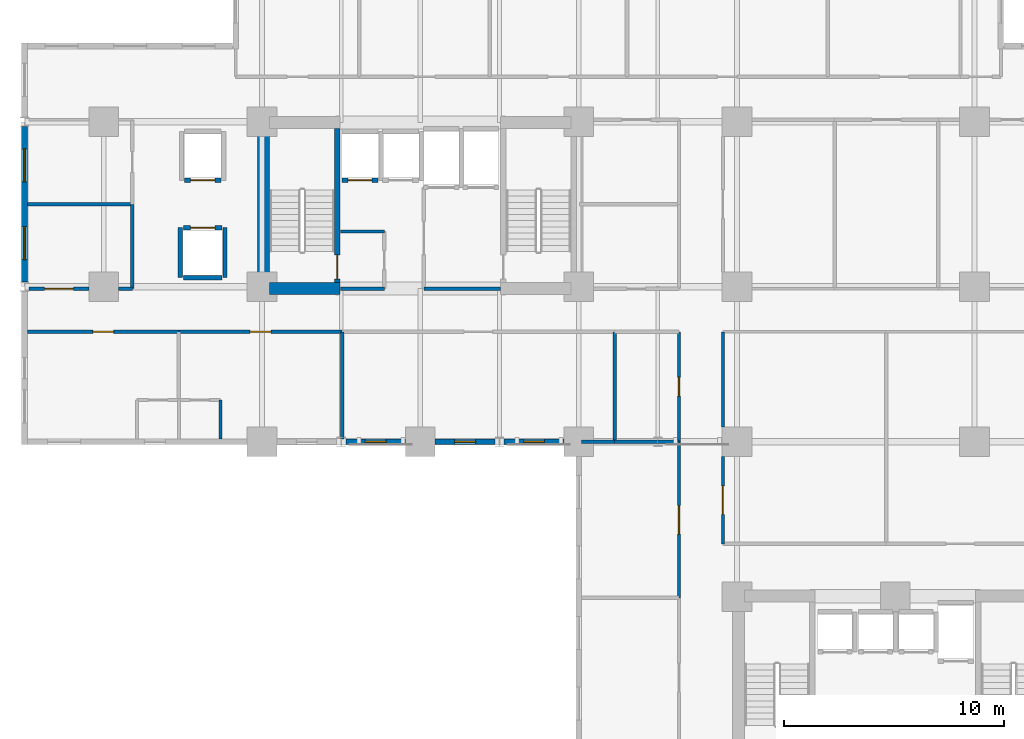
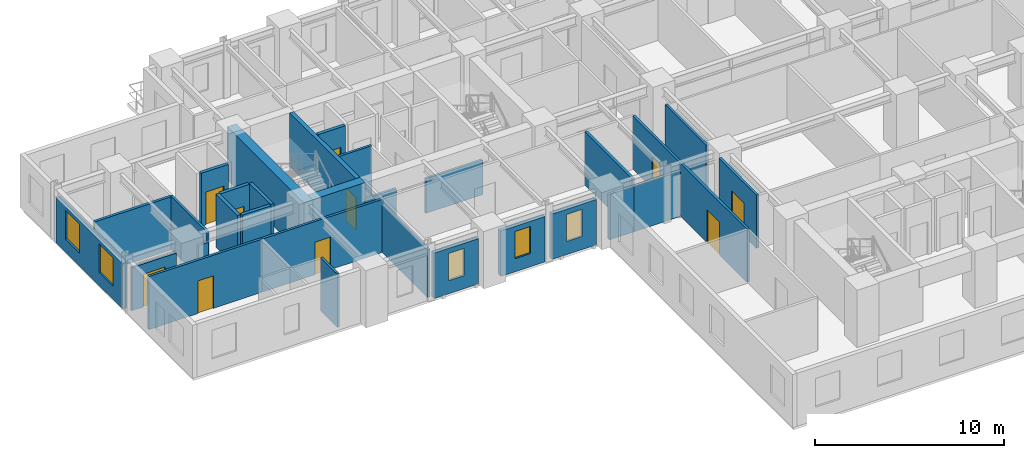
# One storey, part 3 of 11: 31 walls, 10 doors, 5 windows, 15 openings.
"""IFC4 building model written with IfcOpenShell, lengths in metres."""

from ifc_helpers import new_model, si_unit, direction, frame, frame_2d, origin, place, context, subcontext, project, spatial, rectangle, extrude, material, layer, layer_set, type_object, element, fill, save


model = new_model("IFC4")

# Units and contexts
model_context = context("Model", 3, precision=1e-05, world=origin(), true_north=direction((0.0, 1.0)))
body_context = subcontext(model_context, "Body", "Model", "MODEL_VIEW")
ifc_project = project(units=[si_unit("LENGTHUNIT", "METRE"), si_unit("AREAUNIT", "SQUARE_METRE"), si_unit("VOLUMEUNIT", "CUBIC_METRE"), si_unit("PLANEANGLEUNIT", "RADIAN"), si_unit("MASSUNIT", "GRAM", prefix="KILO")], contexts=[model_context])

# Site, building, storey
site_placement = place(None, origin())
site = spatial("IfcSite", under=ifc_project, at=site_placement, CompositionType="ELEMENT")
building_placement = place(site_placement, origin())
building = spatial("IfcBuilding", under=site, at=building_placement, Name="Kaliganga Portal Commons", CompositionType="ELEMENT")
storey_placement = place(building_placement, frame((0.0, 0.0, 58.60009765625)))
storey = spatial("IfcBuildingStorey", under=building, at=storey_placement, Name="L14", CompositionType="ELEMENT", Elevation=58.60009765625)

# Walls
ifc_material_1 = material(Name="Concrete C60/75", Category="concrete")
ifc_layer_1 = layer(ifc_material_1, 0.550048828125)
ifc_layer_set_1 = layer_set([ifc_layer_1], Name="Concrete C60/75")
wall_type_1 = type_object("IfcWallType", Name="WL-CORE-550", PredefinedType="SHEAR", material=ifc_layer_set_1)
wall_1_placement = place(storey_placement, frame((14.47509765625, 28.300048828125, 0.0), z_axis=(0.0, 0.0, 1.0), x_axis=(0.0, 1.0, 0.0)))
element("IfcWall", 1, at=wall_1_placement, inside=storey, type_object=wall_type_1, Name="Core A West Shear Wall L14", PredefinedType="SHEAR", context=body_context, shape_type="SweptSolid", body=[
    extrude(rectangle(XDim=8.099853515625, YDim=0.550048828125, at=frame_2d((4.0498046875, 0.0))), origin(), (0.0, 0.0, 1.0), 3.449951171875),
])
wall_2_placement = place(storey_placement, frame((14.75, 28.574951171875, 0.0), z_axis=(0.0, 0.0, 1.0), x_axis=(1.0, 0.0, 0.0)))
element("IfcWall", 2, at=wall_2_placement, inside=storey, type_object=wall_type_1, Name="Core A S-West Shear Wall L14", PredefinedType="SHEAR", context=body_context, shape_type="SweptSolid", body=[
    extrude(rectangle(XDim=3.199951171875, YDim=0.550048828125, at=frame_2d((1.60009765625, 0.0))), origin(), (0.0, 0.0, 1.0), 3.449951171875),
])

# Wall, openings, windows
ifc_material_2 = material(Name="Insulated Aluminium-Clad Spandrel Assembly", Category="aluminium")
ifc_layer_2 = layer(ifc_material_2, 0.260009765625)
ifc_layer_set_2 = layer_set([ifc_layer_2], Name="Insulated Aluminium-Clad Spandrel Assembly")
wall_type_2 = type_object("IfcWallType", Name="WL-EXT-SPAND-260", PredefinedType="STANDARD", material=ifc_layer_set_2)
wall_3_placement = place(storey_placement, frame((3.60009765625, 28.8740234375, 0.0), z_axis=(0.0, 0.0, 1.0), x_axis=(0.0, 1.0, 0.0)))
wall_3 = element("IfcWall", 3, at=wall_3_placement, inside=storey, type_object=wall_type_2, Name="Exterior Envelope Wall L14 P1-E09-S2", PredefinedType="STANDARD", context=body_context, shape_type="SweptSolid", body=[
    extrude(rectangle(XDim=7.052001953125, YDim=0.260009765625, at=frame_2d((3.52587890625, 0.0))), origin(), (0.0, 0.0, 1.0), 2.929931640625),
])
opening_1_placement = place(wall_3_placement, frame((1.012939453125, 0.0, 0.85009765625)))
opening_1 = element("IfcOpeningElement", 4, at=opening_1_placement, cuts=wall_3, Name="Opening W-02", PredefinedType="OPENING", context=body_context, shape_type="SweptSolid", body=[
    extrude(rectangle(XDim=1.5, YDim=1.85009765625, at=frame_2d((0.75, 0.925048828125))), frame((0.0, 0.14013671875, 0.0), z_axis=(0.0, -1.0, 0.0), x_axis=(1.0, 0.0, 0.0)), (0.0, 0.0, 1.0), 0.280029296875),
])
opening_2_placement = place(wall_3_placement, frame((4.5390625, 0.0, 0.85009765625)))
opening_2 = element("IfcOpeningElement", 5, at=opening_2_placement, cuts=wall_3, Name="Opening W-02", PredefinedType="OPENING", context=body_context, shape_type="SweptSolid", body=[
    extrude(rectangle(XDim=1.5, YDim=1.85009765625, at=frame_2d((0.75, 0.925048828125))), frame((0.0, 0.14013671875, 0.0), z_axis=(0.0, -1.0, 0.0), x_axis=(1.0, 0.0, 0.0)), (0.0, 0.0, 1.0), 0.280029296875),
])
ifc_material_3 = material(Name="Thermally Broken Aluminium and Low-E Double Glazing", Category="aluminium")
window_type_1 = type_object("IfcWindowType", Name="WIN-STD-1500", PartitioningType="DOUBLE_PANEL_VERTICAL", PredefinedType="WINDOW", material=ifc_material_3)
window_1_placement = place(opening_1_placement, origin())
window_1 = element("IfcWindow", 6, at=window_1_placement, inside=storey, type_object=window_type_1, Name="Facade Window L14-P1E09S2-00", OverallHeight=1.85009765625, OverallWidth=1.5, PartitioningType="SINGLE_PANEL", PredefinedType="WINDOW", context=body_context, shape_type="SweptSolid", body=[
    extrude(rectangle(XDim=1.5, YDim=1.85009765625, at=frame_2d((0.75, 0.925048828125))), frame((0.0, 0.030029296875, 0.0), z_axis=(0.0, -1.0, 0.0), x_axis=(1.0, 0.0, 0.0)), (0.0, 0.0, 1.0), 0.06005859375),
])
fill(opening_1, window_1)
window_2_placement = place(opening_2_placement, origin())
window_2 = element("IfcWindow", 7, at=window_2_placement, inside=storey, type_object=window_type_1, Name="Facade Window L14-P1E09S2-01", OverallHeight=1.85009765625, OverallWidth=1.5, PartitioningType="SINGLE_PANEL", PredefinedType="WINDOW", context=body_context, shape_type="SweptSolid", body=[
    extrude(rectangle(XDim=1.5, YDim=1.85009765625, at=frame_2d((0.75, 0.925048828125))), frame((0.0, 0.030029296875, 0.0), z_axis=(0.0, -1.0, 0.0), x_axis=(1.0, 0.0, 0.0)), (0.0, 0.0, 1.0), 0.06005859375),
])
fill(opening_2, window_2)

# Wall, opening, window
wall_4_placement = place(storey_placement, frame((20.924072265625, 21.60009765625, 0.0), z_axis=(0.0, 0.0, 1.0), x_axis=(-1.0, 0.0, 0.0)))
wall_4 = element("IfcWall", 8, at=wall_4_placement, inside=storey, type_object=wall_type_2, Name="Exterior Envelope Wall L14 P1-E10-S3", PredefinedType="STANDARD", context=body_context, shape_type="SweptSolid", body=[
    extrude(rectangle(XDim=2.715087890625, YDim=0.260009765625, at=frame_2d((1.357421875, 0.0))), origin(), (0.0, 0.0, 1.0), 2.929931640625),
])
opening_3_placement = place(wall_4_placement, frame((0.882568359375, 0.0, 0.85009765625)))
opening_3 = element("IfcOpeningElement", 9, at=opening_3_placement, cuts=wall_4, Name="Opening W-04", PredefinedType="OPENING", context=body_context, shape_type="SweptSolid", body=[
    extrude(rectangle(XDim=0.949951171875, YDim=1.75, at=frame_2d((0.47509765625, 0.875))), frame((0.0, 0.14013671875, 0.0), z_axis=(0.0, -1.0, 0.0), x_axis=(1.0, 0.0, 0.0)), (0.0, 0.0, 1.0), 0.280029296875),
])
window_type_2 = type_object("IfcWindowType", Name="WIN-NARROW-950", PartitioningType="SINGLE_PANEL", PredefinedType="WINDOW", material=ifc_material_3)
window_3_placement = place(opening_3_placement, origin())
window_3 = element("IfcWindow", 10, at=window_3_placement, inside=storey, type_object=window_type_2, Name="Facade Window L14-P1E10S3-00", OverallHeight=1.75, OverallWidth=0.949951171875, PartitioningType="SINGLE_PANEL", PredefinedType="WINDOW", context=body_context, shape_type="SweptSolid", body=[
    extrude(rectangle(XDim=0.949951171875, YDim=1.75, at=frame_2d((0.47509765625, 0.875))), frame((0.0, 0.030029296875, 0.0), z_axis=(0.0, -1.0, 0.0), x_axis=(1.0, 0.0, 0.0)), (0.0, 0.0, 1.0), 0.06005859375),
])
fill(opening_3, window_3)

wall_5_placement = place(storey_placement, frame((24.990966796875, 21.60009765625, 0.0), z_axis=(0.0, 0.0, 1.0), x_axis=(-1.0, 0.0, 0.0)))
wall_5 = element("IfcWall", 11, at=wall_5_placement, inside=storey, type_object=wall_type_2, Name="Exterior Envelope Wall L14 P1-E10-S4", PredefinedType="STANDARD", context=body_context, shape_type="SweptSolid", body=[
    extrude(rectangle(XDim=2.715087890625, YDim=0.260009765625, at=frame_2d((1.357421875, 0.0))), origin(), (0.0, 0.0, 1.0), 2.929931640625),
])
opening_4_placement = place(wall_5_placement, frame((0.882568359375, 0.0, 0.85009765625)))
opening_4 = element("IfcOpeningElement", 12, at=opening_4_placement, cuts=wall_5, Name="Opening W-04", PredefinedType="OPENING", context=body_context, shape_type="SweptSolid", body=[
    extrude(rectangle(XDim=0.949951171875, YDim=1.75, at=frame_2d((0.47509765625, 0.875))), frame((0.0, 0.14013671875, 0.0), z_axis=(0.0, -1.0, 0.0), x_axis=(1.0, 0.0, 0.0)), (0.0, 0.0, 1.0), 0.280029296875),
])
window_4_placement = place(opening_4_placement, origin())
window_4 = element("IfcWindow", 13, at=window_4_placement, inside=storey, type_object=window_type_2, Name="Facade Window L14-P1E10S4-00", OverallHeight=1.75, OverallWidth=0.949951171875, PartitioningType="SINGLE_PANEL", PredefinedType="WINDOW", context=body_context, shape_type="SweptSolid", body=[
    extrude(rectangle(XDim=0.949951171875, YDim=1.75, at=frame_2d((0.47509765625, 0.875))), frame((0.0, 0.030029296875, 0.0), z_axis=(0.0, -1.0, 0.0), x_axis=(1.0, 0.0, 0.0)), (0.0, 0.0, 1.0), 0.06005859375),
])
fill(opening_4, window_4)

wall_6_placement = place(storey_placement, frame((28.1240234375, 21.60009765625, 0.0), z_axis=(0.0, 0.0, 1.0), x_axis=(-1.0, 0.0, 0.0)))
wall_6 = element("IfcWall", 14, at=wall_6_placement, inside=storey, type_object=wall_type_2, Name="Exterior Envelope Wall L14 P1-E10-S5", PredefinedType="STANDARD", context=body_context, shape_type="SweptSolid", body=[
    extrude(rectangle(XDim=2.715087890625, YDim=0.260009765625, at=frame_2d((1.357421875, 0.0))), origin(), (0.0, 0.0, 1.0), 2.929931640625),
])
opening_5_placement = place(wall_6_placement, frame((0.882568359375, 0.0, 0.85009765625)))
opening_5 = element("IfcOpeningElement", 15, at=opening_5_placement, cuts=wall_6, Name="Opening W-04", PredefinedType="OPENING", context=body_context, shape_type="SweptSolid", body=[
    extrude(rectangle(XDim=0.949951171875, YDim=1.75, at=frame_2d((0.47509765625, 0.875))), frame((0.0, 0.14013671875, 0.0), z_axis=(0.0, -1.0, 0.0), x_axis=(1.0, 0.0, 0.0)), (0.0, 0.0, 1.0), 0.280029296875),
])
window_5_placement = place(opening_5_placement, origin())
window_5 = element("IfcWindow", 16, at=window_5_placement, inside=storey, type_object=window_type_2, Name="Facade Window L14-P1E10S5-00", OverallHeight=1.75, OverallWidth=0.949951171875, PartitioningType="SINGLE_PANEL", PredefinedType="WINDOW", context=body_context, shape_type="SweptSolid", body=[
    extrude(rectangle(XDim=0.949951171875, YDim=1.75, at=frame_2d((0.47509765625, 0.875))), frame((0.0, 0.030029296875, 0.0), z_axis=(0.0, -1.0, 0.0), x_axis=(1.0, 0.0, 0.0)), (0.0, 0.0, 1.0), 0.06005859375),
])
fill(opening_5, window_5)

# Wall, opening, door
ifc_material_4 = material(Name="Fire-Rated Gypsum Board on Steel Stud", Category="steel")
ifc_layer_3 = layer(ifc_material_4, 0.14990234375)
ifc_layer_set_3 = layer_set([ifc_layer_3], Name="Fire-Rated Gypsum Board on Steel Stud")
wall_type_3 = type_object("IfcWallType", Name="WL-PART-CORR-150", PredefinedType="PARTITIONING", material=ifc_layer_set_3)
wall_7_placement = place(storey_placement, frame((35.360107421875, 16.9599609375, 0.0), z_axis=(0.0, 0.0, 1.0), x_axis=(0.0, 1.0, 0.0)))
wall_7 = element("IfcWall", 17, at=wall_7_placement, inside=storey, type_object=wall_type_3, Name="Interior Partition L14-007", PredefinedType="PARTITIONING", context=body_context, shape_type="SweptSolid", body=[
    extrude(rectangle(XDim=3.965087890625, YDim=0.14990234375, at=frame_2d((1.982421875, 0.0))), origin(), (0.0, 0.0, 1.0), 3.429931640625),
])
opening_6_placement = place(wall_7_placement, frame((1.33251953125, 0.0, 0.0)))
opening_6 = element("IfcOpeningElement", 18, at=opening_6_placement, cuts=wall_7, Name="Opening RD-03", PredefinedType="OPENING", context=body_context, shape_type="SweptSolid", body=[
    extrude(rectangle(XDim=1.300048828125, YDim=2.1201171875, at=frame_2d((0.64990234375, 1.06005859375))), frame((0.0, 0.0849609375, 0.0), z_axis=(0.0, -1.0, 0.0), x_axis=(1.0, 0.0, 0.0)), (0.0, 0.0, 1.0), 0.169921875),
])
ifc_material_5 = material(Name="Glazed Timber Seminar Vision Door", Category="wood")
door_type_1 = type_object("IfcDoorType", Name="DR-STUDY-1300", OperationType="DOUBLE_DOOR_SINGLE_SWING", PredefinedType="DOOR", material=ifc_material_5)
door_1_placement = place(opening_6_placement, origin())
door_1 = element("IfcDoor", 19, at=door_1_placement, inside=storey, type_object=door_type_1, Name="Interior Door L14-BM01", OperationType="DOUBLE_DOOR_SINGLE_SWING", OverallHeight=2.1201171875, OverallWidth=1.300048828125, PredefinedType="DOOR", context=body_context, shape_type="SweptSolid", body=[
    extrude(rectangle(XDim=1.300048828125, YDim=2.1201171875, at=frame_2d((0.64990234375, 1.06005859375))), frame((0.0, 0.02490234375, 0.0), z_axis=(0.0, -1.0, 0.0), x_axis=(1.0, 0.0, 0.0)), (0.0, 0.0, 1.0), 0.050048828125),
])
fill(opening_6, door_1)

# Wall
wall_8_placement = place(storey_placement, frame((35.360107421875, 22.27490234375, 0.0), z_axis=(0.0, 0.0, 1.0), x_axis=(0.0, 1.0, 0.0)))
element("IfcWall", 20, at=wall_8_placement, inside=storey, type_object=wall_type_3, Name="Interior Partition L14-008", PredefinedType="PARTITIONING", context=body_context, shape_type="SweptSolid", body=[
    extrude(rectangle(XDim=4.3251953125, YDim=0.14990234375, at=frame_2d((2.16259765625, 0.0))), origin(), (0.0, 0.0, 1.0), 3.429931640625),
])

# Wall, opening, door
wall_9_placement = place(storey_placement, frame((10.6201171875, 26.60009765625, 0.0), z_axis=(0.0, 0.0, 1.0), x_axis=(1.0, 0.0, 0.0)))
wall_9 = element("IfcWall", 21, at=wall_9_placement, inside=storey, type_object=wall_type_3, Name="Interior Partition L14-014", PredefinedType="PARTITIONING", context=body_context, shape_type="SweptSolid", body=[
    extrude(rectangle(XDim=7.419921875, YDim=0.14990234375, at=frame_2d((3.7099609375, 0.0))), origin(), (0.0, 0.0, 1.0), 3.429931640625),
])
opening_7_placement = place(wall_9_placement, frame((3.235107421875, 0.0, 0.0)))
opening_7 = element("IfcOpeningElement", 22, at=opening_7_placement, cuts=wall_9, Name="Opening UD-01", PredefinedType="OPENING", context=body_context, shape_type="SweptSolid", body=[
    extrude(rectangle(XDim=0.949951171875, YDim=2.10009765625, at=frame_2d((0.47509765625, 1.050048828125))), frame((0.0, 0.0849609375, 0.0), z_axis=(0.0, -1.0, 0.0), x_axis=(1.0, 0.0, 0.0)), (0.0, 0.0, 1.0), 0.169921875),
])
ifc_material_6 = material(Name="Solid-Core Timber Acoustic Fire Door", Category="wood")
door_type_2 = type_object("IfcDoorType", Name="DR-UNIT-950", OperationType="NOTDEFINED", PredefinedType="DOOR", material=ifc_material_6)
door_2_placement = place(opening_7_placement, origin())
door_2 = element("IfcDoor", 23, at=door_2_placement, inside=storey, type_object=door_type_2, Name="Interior Door L14-AS02", OperationType="SINGLE_SWING_LEFT", OverallHeight=2.10009765625, OverallWidth=0.949951171875, PredefinedType="DOOR", context=body_context, shape_type="SweptSolid", body=[
    extrude(rectangle(XDim=0.949951171875, YDim=2.10009765625, at=frame_2d((0.47509765625, 1.050048828125))), frame((0.0, 0.02490234375, 0.0), z_axis=(0.0, -1.0, 0.0), x_axis=(1.0, 0.0, 0.0)), (0.0, 0.0, 1.0), 0.050048828125),
])
fill(opening_7, door_2)

wall_10_placement = place(storey_placement, frame((33.360107421875, 14.5, 0.0), z_axis=(0.0, 0.0, 1.0), x_axis=(0.0, 1.0, 0.0)))
wall_10 = element("IfcWall", 24, at=wall_10_placement, inside=storey, type_object=wall_type_3, Name="Interior Partition L14-016", PredefinedType="PARTITIONING", context=body_context, shape_type="SweptSolid", body=[
    extrude(rectangle(XDim=7.10009765625, YDim=0.14990234375, at=frame_2d((3.550048828125, 0.0))), origin(), (0.0, 0.0, 1.0), 3.429931640625),
])
opening_8_placement = place(wall_10_placement, frame((2.89990234375, 0.0, 0.0)))
opening_8 = element("IfcOpeningElement", 25, at=opening_8_placement, cuts=wall_10, Name="Opening RD-03", PredefinedType="OPENING", context=body_context, shape_type="SweptSolid", body=[
    extrude(rectangle(XDim=1.300048828125, YDim=2.1201171875, at=frame_2d((0.64990234375, 1.06005859375))), frame((0.0, 0.0849609375, 0.0), z_axis=(0.0, -1.0, 0.0), x_axis=(1.0, 0.0, 0.0)), (0.0, 0.0, 1.0), 0.169921875),
])
door_3_placement = place(opening_8_placement, origin())
door_3 = element("IfcDoor", 26, at=door_3_placement, inside=storey, type_object=door_type_1, Name="Interior Door L14-KW02", OperationType="DOUBLE_DOOR_SINGLE_SWING", OverallHeight=2.1201171875, OverallWidth=1.300048828125, PredefinedType="DOOR", context=body_context, shape_type="SweptSolid", body=[
    extrude(rectangle(XDim=1.300048828125, YDim=2.1201171875, at=frame_2d((0.64990234375, 1.06005859375))), frame((0.0, 0.02490234375, 0.0), z_axis=(0.0, -1.0, 0.0), x_axis=(1.0, 0.0, 0.0)), (0.0, 0.0, 1.0), 0.050048828125),
])
fill(opening_8, door_3)

wall_11_placement = place(storey_placement, frame((3.73193359375, 26.60009765625, 0.0), z_axis=(0.0, 0.0, 1.0), x_axis=(1.0, 0.0, 0.0)))
wall_11 = element("IfcWall", 27, at=wall_11_placement, inside=storey, type_object=wall_type_3, Name="Interior Partition L14-021", PredefinedType="PARTITIONING", context=body_context, shape_type="SweptSolid", body=[
    extrude(rectangle(XDim=6.88818359375, YDim=0.14990234375, at=frame_2d((3.444091796875, 0.0))), origin(), (0.0, 0.0, 1.0), 3.429931640625),
])
opening_9_placement = place(wall_11_placement, frame((2.968994140625, 0.0, 0.0)))
opening_9 = element("IfcOpeningElement", 28, at=opening_9_placement, cuts=wall_11, Name="Opening UD-01", PredefinedType="OPENING", context=body_context, shape_type="SweptSolid", body=[
    extrude(rectangle(XDim=0.949951171875, YDim=2.10009765625, at=frame_2d((0.47509765625, 1.050048828125))), frame((0.0, 0.0849609375, 0.0), z_axis=(0.0, -1.0, 0.0), x_axis=(1.0, 0.0, 0.0)), (0.0, 0.0, 1.0), 0.169921875),
])
door_4_placement = place(opening_9_placement, origin())
door_4 = element("IfcDoor", 29, at=door_4_placement, inside=storey, type_object=door_type_2, Name="Interior Door L14-AS01", OperationType="SINGLE_SWING_LEFT", OverallHeight=2.10009765625, OverallWidth=0.949951171875, PredefinedType="DOOR", context=body_context, shape_type="SweptSolid", body=[
    extrude(rectangle(XDim=0.949951171875, YDim=2.10009765625, at=frame_2d((0.47509765625, 1.050048828125))), frame((0.0, 0.02490234375, 0.0), z_axis=(0.0, -1.0, 0.0), x_axis=(1.0, 0.0, 0.0)), (0.0, 0.0, 1.0), 0.050048828125),
])
fill(opening_9, door_4)

wall_12_placement = place(storey_placement, frame((33.360107421875, 21.60009765625, 0.0), z_axis=(0.0, 0.0, 1.0), x_axis=(0.0, 1.0, 0.0)))
wall_12 = element("IfcWall", 30, at=wall_12_placement, inside=storey, type_object=wall_type_3, Name="Interior Partition L14-029", PredefinedType="PARTITIONING", context=body_context, shape_type="SweptSolid", body=[
    extrude(rectangle(XDim=5.0, YDim=0.14990234375, at=frame_2d((2.5, 0.0))), origin(), (0.0, 0.0, 1.0), 3.429931640625),
])
opening_10_placement = place(wall_12_placement, frame((2.070068359375, 0.0, 0.0)))
opening_10 = element("IfcOpeningElement", 31, at=opening_10_placement, cuts=wall_12, Name="Opening WD-02", PredefinedType="OPENING", context=body_context, shape_type="SweptSolid", body=[
    extrude(rectangle(XDim=0.860107421875, YDim=2.02001953125, at=frame_2d((0.43017578125, 1.010009765625))), frame((0.0, 0.0849609375, 0.0), z_axis=(0.0, -1.0, 0.0), x_axis=(1.0, 0.0, 0.0)), (0.0, 0.0, 1.0), 0.169921875),
])
ifc_material_7 = material(Name="Fire-Rated Utility Closet Door", Category="wood")
door_type_3 = type_object("IfcDoorType", Name="DR-STORE-800", OperationType="NOTDEFINED", PredefinedType="DOOR", material=ifc_material_7)
door_5_placement = place(opening_10_placement, origin())
door_5 = element("IfcDoor", 32, at=door_5_placement, inside=storey, type_object=door_type_3, Name="Interior Door L14-AS04", OperationType="SINGLE_SWING_RIGHT", OverallHeight=2.02001953125, OverallWidth=0.860107421875, PredefinedType="DOOR", context=body_context, shape_type="SweptSolid", body=[
    extrude(rectangle(XDim=0.860107421875, YDim=2.02001953125, at=frame_2d((0.43017578125, 1.010009765625))), frame((0.0, 0.02490234375, 0.0), z_axis=(0.0, -1.0, 0.0), x_axis=(1.0, 0.0, 0.0)), (0.0, 0.0, 1.0), 0.050048828125),
])
fill(opening_10, door_5)

wall_13_placement = place(storey_placement, frame((3.80810546875, 28.56005859375, 0.0), z_axis=(0.0, 0.0, 1.0), x_axis=(1.0, 0.0, 0.0)))
wall_13 = element("IfcWall", 33, at=wall_13_placement, inside=storey, type_object=wall_type_3, Name="Interior Partition L14-030", PredefinedType="PARTITIONING", context=body_context, shape_type="SweptSolid", body=[
    extrude(rectangle(XDim=2.716796875, YDim=0.14990234375, at=frame_2d((1.3583984375, 0.0))), origin(), (0.0, 0.0, 1.0), 2.77978515625),
])
opening_11_placement = place(wall_13_placement, frame((0.70849609375, 0.0, 0.0)))
opening_11 = element("IfcOpeningElement", 34, at=opening_11_placement, cuts=wall_13, Name="Opening RD-03", PredefinedType="OPENING", context=body_context, shape_type="SweptSolid", body=[
    extrude(rectangle(XDim=1.300048828125, YDim=2.1201171875, at=frame_2d((0.64990234375, 1.06005859375))), frame((0.0, 0.0849609375, 0.0), z_axis=(0.0, -1.0, 0.0), x_axis=(1.0, 0.0, 0.0)), (0.0, 0.0, 1.0), 0.169921875),
])
door_6_placement = place(opening_11_placement, origin())
door_6 = element("IfcDoor", 35, at=door_6_placement, inside=storey, type_object=door_type_1, Name="Interior Door L14-AW01", OperationType="DOUBLE_DOOR_SINGLE_SWING", OverallHeight=2.1201171875, OverallWidth=1.300048828125, PredefinedType="DOOR", context=body_context, shape_type="SweptSolid", body=[
    extrude(rectangle(XDim=1.300048828125, YDim=2.1201171875, at=frame_2d((0.64990234375, 1.06005859375))), frame((0.0, 0.02490234375, 0.0), z_axis=(0.0, -1.0, 0.0), x_axis=(1.0, 0.0, 0.0)), (0.0, 0.0, 1.0), 0.050048828125),
])
fill(opening_11, door_6)

# Walls
wall_14_placement = place(storey_placement, frame((7.875, 28.56005859375, 0.0), z_axis=(0.0, 0.0, 1.0), x_axis=(1.0, 0.0, 0.0)))
element("IfcWall", 36, at=wall_14_placement, inside=storey, type_object=wall_type_3, Name="Interior Partition L14-031", PredefinedType="PARTITIONING", context=body_context, shape_type="SweptSolid", body=[
    extrude(rectangle(XDim=0.625, YDim=0.14990234375, at=frame_2d((0.3125, 0.0))), origin(), (0.0, 0.0, 1.0), 2.77978515625),
])
wall_15_placement = place(storey_placement, frame((8.5, 28.56005859375, 0.0), z_axis=(0.0, 0.0, 1.0), x_axis=(0.0, 1.0, 0.0)))
element("IfcWall", 37, at=wall_15_placement, inside=storey, type_object=wall_type_3, Name="Interior Partition L14-040", PredefinedType="PARTITIONING", context=body_context, shape_type="SweptSolid", body=[
    extrude(rectangle(XDim=3.83984375, YDim=0.14990234375, at=frame_2d((1.919921875, 0.0))), origin(), (0.0, 0.0, 1.0), 3.429931640625),
])
wall_16_placement = place(storey_placement, frame((17.9599609375, 28.56005859375, 0.0), z_axis=(0.0, 0.0, 1.0), x_axis=(1.0, 0.0, 0.0)))
element("IfcWall", 38, at=wall_16_placement, inside=storey, type_object=wall_type_3, Name="Interior Partition L14-045", PredefinedType="PARTITIONING", context=body_context, shape_type="SweptSolid", body=[
    extrude(rectangle(XDim=2.0, YDim=0.14990234375, at=frame_2d((1.0, 0.0))), origin(), (0.0, 0.0, 1.0), 2.22998046875),
])
wall_17_placement = place(storey_placement, frame((17.9599609375, 31.159912109375, 0.0), z_axis=(0.0, 0.0, 1.0), x_axis=(1.0, 0.0, 0.0)))
element("IfcWall", 39, at=wall_17_placement, inside=storey, type_object=wall_type_3, Name="Interior Partition L14-046", PredefinedType="PARTITIONING", context=body_context, shape_type="SweptSolid", body=[
    extrude(rectangle(XDim=2.0, YDim=0.14990234375, at=frame_2d((1.0, 0.0))), origin(), (0.0, 0.0, 1.0), 3.429931640625),
])
wall_18_placement = place(storey_placement, frame((21.760009765625, 28.56005859375, 0.0), z_axis=(0.0, 0.0, 1.0), x_axis=(1.0, 0.0, 0.0)))
element("IfcWall", 40, at=wall_18_placement, inside=storey, type_object=wall_type_3, Name="Interior Partition L14-078", PredefinedType="PARTITIONING", context=body_context, shape_type="SweptSolid", body=[
    extrude(rectangle(XDim=3.47998046875, YDim=0.14990234375, at=frame_2d((1.739990234375, 0.0))), origin(), (0.0, 0.0, 1.0), 2.22998046875),
])
ifc_material_8 = material(Name="Twin-Stud Acoustic Gypsum Partition", Category="gypsum")
ifc_layer_4 = layer(ifc_material_8, 0.1650390625)
ifc_layer_set_4 = layer_set([ifc_layer_4], Name="Twin-Stud Acoustic Gypsum Partition")
wall_type_4 = type_object("IfcWallType", Name="WL-PART-UNIT-165", PredefinedType="PARTITIONING", material=ifc_layer_set_4)
wall_19_placement = place(storey_placement, frame((18.0400390625, 21.73193359375, 0.0), z_axis=(0.0, 0.0, 1.0), x_axis=(0.0, 1.0, 0.0)))
element("IfcWall", 41, at=wall_19_placement, inside=storey, type_object=wall_type_4, Name="Interior Partition L14-061", PredefinedType="PARTITIONING", context=body_context, shape_type="SweptSolid", body=[
    extrude(rectangle(XDim=4.8681640625, YDim=0.1650390625, at=frame_2d((2.43408203125, 0.0))), origin(), (0.0, 0.0, 1.0), 3.06982421875),
])
wall_20_placement = place(storey_placement, frame((30.43994140625, 21.60009765625, 0.0), z_axis=(0.0, 0.0, 1.0), x_axis=(0.0, 1.0, 0.0)))
element("IfcWall", 42, at=wall_20_placement, inside=storey, type_object=wall_type_4, Name="Interior Partition L14-064", PredefinedType="PARTITIONING", context=body_context, shape_type="SweptSolid", body=[
    extrude(rectangle(XDim=5.0, YDim=0.1650390625, at=frame_2d((2.5, 0.0))), origin(), (0.0, 0.0, 1.0), 3.429931640625),
])
wall_21_placement = place(storey_placement, frame((3.73193359375, 32.39990234375, 0.0), z_axis=(0.0, 0.0, 1.0), x_axis=(1.0, 0.0, 0.0)))
element("IfcWall", 43, at=wall_21_placement, inside=storey, type_object=wall_type_4, Name="Interior Partition L14-069", PredefinedType="PARTITIONING", context=body_context, shape_type="SweptSolid", body=[
    extrude(rectangle(XDim=4.76806640625, YDim=0.1650390625, at=frame_2d((2.384033203125, 0.0))), origin(), (0.0, 0.0, 1.0), 3.429931640625),
])
wall_22_placement = place(storey_placement, frame((30.43994140625, 21.60009765625, 0.0), z_axis=(0.0, 0.0, 1.0), x_axis=(1.0, 0.0, 0.0)))
element("IfcWall", 44, at=wall_22_placement, inside=storey, type_object=wall_type_4, Name="Interior Partition L14-080", PredefinedType="PARTITIONING", context=body_context, shape_type="SweptSolid", body=[
    extrude(rectangle(XDim=2.920166015625, YDim=0.1650390625, at=frame_2d((1.4599609375, 0.0))), origin(), (0.0, 0.0, 1.0), 2.929931640625),
])
wall_23_placement = place(storey_placement, frame((28.931884765625, 21.60009765625, 0.0), z_axis=(0.0, 0.0, 1.0), x_axis=(1.0, 0.0, 0.0)))
element("IfcWall", 45, at=wall_23_placement, inside=storey, type_object=wall_type_4, Name="Interior Partition L14-082", PredefinedType="PARTITIONING", context=body_context, shape_type="SweptSolid", body=[
    extrude(rectangle(XDim=1.508056640625, YDim=0.1650390625, at=frame_2d((0.75390625, 0.0))), origin(), (0.0, 0.0, 1.0), 2.929931640625),
])
ifc_material_9 = material(Name="Cement-Board Wet-Room Partition", Category="gypsum")
ifc_layer_5 = layer(ifc_material_9, 0.135009765625)
ifc_layer_set_5 = layer_set([ifc_layer_5], Name="Cement-Board Wet-Room Partition")
wall_type_5 = type_object("IfcWallType", Name="WL-PART-WET-135", PredefinedType="PARTITIONING", material=ifc_layer_set_5)
wall_24_placement = place(storey_placement, frame((12.52001953125, 21.73193359375, 0.0), z_axis=(0.0, 0.0, 1.0), x_axis=(0.0, 1.0, 0.0)))
element("IfcWall", 46, at=wall_24_placement, inside=storey, type_object=wall_type_5, Name="Interior Partition L14-005", PredefinedType="PARTITIONING", context=body_context, shape_type="SweptSolid", body=[
    extrude(rectangle(XDim=1.76806640625, YDim=0.135009765625, at=frame_2d((0.884033203125, 0.0))), origin(), (0.0, 0.0, 1.0), 3.429931640625),
])

# Wall, opening, door
ifc_material_10 = material(Name="Fire-Rated Shaftwall Masonry Assembly", Category="masonry")
ifc_layer_6 = layer(ifc_material_10, 0.199951171875)
ifc_layer_set_6 = layer_set([ifc_layer_6], Name="Fire-Rated Shaftwall Masonry Assembly")
wall_type_6 = type_object("IfcWallType", Name="WL-SHAFT-200", PredefinedType="PARTITIONING", material=ifc_layer_set_6)
wall_25_placement = place(storey_placement, frame((18.02490234375, 33.485107421875, 0.0), z_axis=(0.0, 0.0, 1.0), x_axis=(1.0, 0.0, 0.0)))
wall_25 = element("IfcWall", 47, at=wall_25_placement, inside=storey, type_object=wall_type_6, Name="Lift PL-A1 Hoistway Shaft Wall L14-S", PredefinedType="PARTITIONING", context=body_context, shape_type="SweptSolid", body=[
    extrude(rectangle(XDim=1.650146484375, YDim=0.199951171875, at=frame_2d((0.8251953125, 0.0))), origin(), (0.0, 0.0, 1.0), 3.429931640625),
])
opening_12_placement = place(wall_25_placement, frame((0.27490234375, 0.0, 0.0)))
opening_12 = element("IfcOpeningElement", 48, at=opening_12_placement, cuts=wall_25, Name="Opening LD-01", PredefinedType="OPENING", context=body_context, shape_type="SweptSolid", body=[
    extrude(rectangle(XDim=1.10009765625, YDim=2.1201171875, at=frame_2d((0.550048828125, 1.06005859375))), frame((0.0, 0.10986328125, 0.0), z_axis=(0.0, -1.0, 0.0), x_axis=(1.0, 0.0, 0.0)), (0.0, 0.0, 1.0), 0.219970703125),
])
ifc_material_11 = material(Name="Brushed Stainless Steel 316 Lift Landing Door", Category="steel")
door_type_4 = type_object("IfcDoorType", Name="DR-LIFT-1100", OperationType="SLIDING_TO_LEFT", PredefinedType="DOOR", material=ifc_material_11)
door_7_placement = place(opening_12_placement, origin())
door_7 = element("IfcDoor", 49, at=door_7_placement, inside=storey, type_object=door_type_4, Name="Lift PL-A1 Sliding Landing Door L14", OperationType="SLIDING_TO_LEFT", OverallHeight=2.1201171875, OverallWidth=1.10009765625, PredefinedType="DOOR", context=body_context, shape_type="SweptSolid", body=[
    extrude(rectangle(XDim=1.10009765625, YDim=2.1201171875, at=frame_2d((0.550048828125, 1.06005859375))), frame((0.0, 0.02490234375, 0.0), z_axis=(0.0, -1.0, 0.0), x_axis=(1.0, 0.0, 0.0)), (0.0, 0.0, 1.0), 0.050048828125),
])
fill(opening_12, door_7)

# Wall
wall_26_placement = place(storey_placement, frame((10.824951171875, 29.06005859375, 0.0), z_axis=(0.0, 0.0, 1.0), x_axis=(1.0, 0.0, 0.0)))
element("IfcWall", 50, at=wall_26_placement, inside=storey, type_object=wall_type_6, Name="Lift SH-1 Hoistway Shaft Wall L14-S", PredefinedType="PARTITIONING", context=body_context, shape_type="SweptSolid", body=[
    extrude(rectangle(XDim=1.75, YDim=0.199951171875, at=frame_2d((0.875, 0.0))), origin(), (0.0, 0.0, 1.0), 3.429931640625),
])

# Wall, opening, door
wall_27_placement = place(storey_placement, frame((10.824951171875, 31.340087890625, 0.0), z_axis=(0.0, 0.0, 1.0), x_axis=(1.0, 0.0, 0.0)))
wall_27 = element("IfcWall", 51, at=wall_27_placement, inside=storey, type_object=wall_type_6, Name="Lift SH-1 Hoistway Shaft Wall L14-N", PredefinedType="PARTITIONING", context=body_context, shape_type="SweptSolid", body=[
    extrude(rectangle(XDim=1.75, YDim=0.199951171875, at=frame_2d((0.875, 0.0))), origin(), (0.0, 0.0, 1.0), 3.429931640625),
])
opening_13_placement = place(wall_27_placement, frame((0.324951171875, 0.0, 0.0)))
opening_13 = element("IfcOpeningElement", 52, at=opening_13_placement, cuts=wall_27, Name="Opening LD-01", PredefinedType="OPENING", context=body_context, shape_type="SweptSolid", body=[
    extrude(rectangle(XDim=1.10009765625, YDim=2.1201171875, at=frame_2d((0.550048828125, 1.06005859375))), frame((0.0, 0.10986328125, 0.0), z_axis=(0.0, -1.0, 0.0), x_axis=(1.0, 0.0, 0.0)), (0.0, 0.0, 1.0), 0.219970703125),
])
door_8_placement = place(opening_13_placement, origin())
door_8 = element("IfcDoor", 53, at=door_8_placement, inside=storey, type_object=door_type_4, Name="Lift SH-1 Sliding Landing Door L14", OperationType="SLIDING_TO_LEFT", OverallHeight=2.1201171875, OverallWidth=1.10009765625, PredefinedType="DOOR", context=body_context, shape_type="SweptSolid", body=[
    extrude(rectangle(XDim=1.10009765625, YDim=2.1201171875, at=frame_2d((0.550048828125, 1.06005859375))), frame((0.0, 0.02490234375, 0.0), z_axis=(0.0, -1.0, 0.0), x_axis=(1.0, 0.0, 0.0)), (0.0, 0.0, 1.0), 0.050048828125),
])
fill(opening_13, door_8)

# Walls
for number, where, z_axis, x_axis, name in (
    (54, (10.68505859375, 29.06005859375, 0.0), (0.0, 0.0, 1.0), (0.0, 1.0, 0.0), "Lift SH-1 Hoistway Shaft Wall L14-W"),
    (55, (12.715087890625, 29.06005859375, 0.0), (0.0, 0.0, 1.0), (0.0, 1.0, 0.0), "Lift SH-1 Hoistway Shaft Wall L14-E"),
):
    element("IfcWall", number, at=place(storey_placement, frame(where, z_axis=z_axis, x_axis=x_axis)), inside=storey, type_object=wall_type_6, Name=name, PredefinedType="PARTITIONING", context=body_context, shape_type="SweptSolid", body=[
        extrude(rectangle(XDim=2.280029296875, YDim=0.199951171875, at=frame_2d((1.14013671875, 0.0))), origin(), (0.0, 0.0, 1.0), 3.429931640625),
    ])

# Wall, opening, door
wall_28_placement = place(storey_placement, frame((10.875, 33.485107421875, 0.0), z_axis=(0.0, 0.0, 1.0), x_axis=(1.0, 0.0, 0.0)))
wall_28 = element("IfcWall", 56, at=wall_28_placement, inside=storey, type_object=wall_type_6, Name="Lift PL-OBS Hoistway Shaft Wall L14-S", PredefinedType="PARTITIONING", context=body_context, shape_type="SweptSolid", body=[
    extrude(rectangle(XDim=1.64990234375, YDim=0.199951171875, at=frame_2d((0.824951171875, 0.0))), origin(), (0.0, 0.0, 1.0), 3.429931640625),
])
opening_14_placement = place(wall_28_placement, frame((0.27490234375, 0.0, 0.0)))
opening_14 = element("IfcOpeningElement", 57, at=opening_14_placement, cuts=wall_28, Name="Opening LD-01", PredefinedType="OPENING", context=body_context, shape_type="SweptSolid", body=[
    extrude(rectangle(XDim=1.10009765625, YDim=2.1201171875, at=frame_2d((0.550048828125, 1.06005859375))), frame((0.0, 0.10986328125, 0.0), z_axis=(0.0, -1.0, 0.0), x_axis=(1.0, 0.0, 0.0)), (0.0, 0.0, 1.0), 0.219970703125),
])
door_9_placement = place(opening_14_placement, origin())
door_9 = element("IfcDoor", 58, at=door_9_placement, inside=storey, type_object=door_type_4, Name="Lift PL-OBS Sliding Landing Door L14", OperationType="SLIDING_TO_LEFT", OverallHeight=2.1201171875, OverallWidth=1.10009765625, PredefinedType="DOOR", context=body_context, shape_type="SweptSolid", body=[
    extrude(rectangle(XDim=1.10009765625, YDim=2.1201171875, at=frame_2d((0.550048828125, 1.06005859375))), frame((0.0, 0.02490234375, 0.0), z_axis=(0.0, -1.0, 0.0), x_axis=(1.0, 0.0, 0.0)), (0.0, 0.0, 1.0), 0.050048828125),
])
fill(opening_14, door_9)

ifc_material_12 = material(Name="Concrete C50/60", Category="concrete")
ifc_layer_7 = layer(ifc_material_12, 0.25)
ifc_layer_set_7 = layer_set([ifc_layer_7], Name="Concrete C50/60")
wall_type_7 = type_object("IfcWallType", Name="WL-STAIR-250", PredefinedType="SHEAR", material=ifc_layer_set_7)
wall_29_placement = place(storey_placement, frame((17.824951171875, 28.85009765625, 0.0), z_axis=(0.0, 0.0, 1.0), x_axis=(0.0, 1.0, 0.0)))
wall_29 = element("IfcWall", 59, at=wall_29_placement, inside=storey, type_object=wall_type_7, Name="Stair A1 Enclosure Shear Wall L14", PredefinedType="SHEAR", context=body_context, shape_type="SweptSolid", body=[
    extrude(rectangle(XDim=7.0, YDim=0.25, at=frame_2d((3.5, 0.0))), origin(), (0.0, 0.0, 1.0), 3.449951171875),
])
opening_15_placement = place(wall_29_placement, frame((0.14990234375, 0.0, 0.0)))
opening_15 = element("IfcOpeningElement", 60, at=opening_15_placement, cuts=wall_29, Name="Opening SD-01", PredefinedType="OPENING", context=body_context, shape_type="SweptSolid", body=[
    extrude(rectangle(XDim=1.10009765625, YDim=2.080078125, at=frame_2d((0.550048828125, 1.0400390625))), frame((0.0, 0.135009765625, 0.0), z_axis=(0.0, -1.0, 0.0), x_axis=(1.0, 0.0, 0.0)), (0.0, 0.0, 1.0), 0.27001953125),
])
ifc_material_13 = material(Name="Galvanized Steel Fire Door Leaf and Frame", Category="steel")
door_type_5 = type_object("IfcDoorType", Name="DR-STAIR-1100", OperationType="NOTDEFINED", PredefinedType="DOOR", material=ifc_material_13)
door_10_placement = place(opening_15_placement, origin())
door_10 = element("IfcDoor", 61, at=door_10_placement, inside=storey, type_object=door_type_5, Name="Protected Stair ST-A1 Fire Door L14", OperationType="SINGLE_SWING_RIGHT", OverallHeight=2.080078125, OverallWidth=1.10009765625, PredefinedType="DOOR", context=body_context, shape_type="SweptSolid", body=[
    extrude(rectangle(XDim=1.10009765625, YDim=2.080078125, at=frame_2d((0.550048828125, 1.0400390625))), frame((0.0, 0.02490234375, 0.0), z_axis=(0.0, -1.0, 0.0), x_axis=(1.0, 0.0, 0.0)), (0.0, 0.0, 1.0), 0.050048828125),
])
fill(opening_15, door_10)

save(model, "model.ifc")
